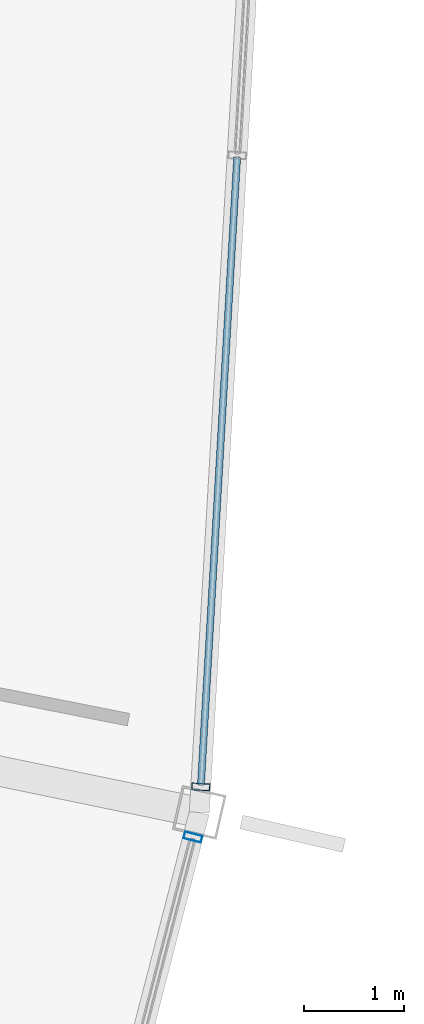
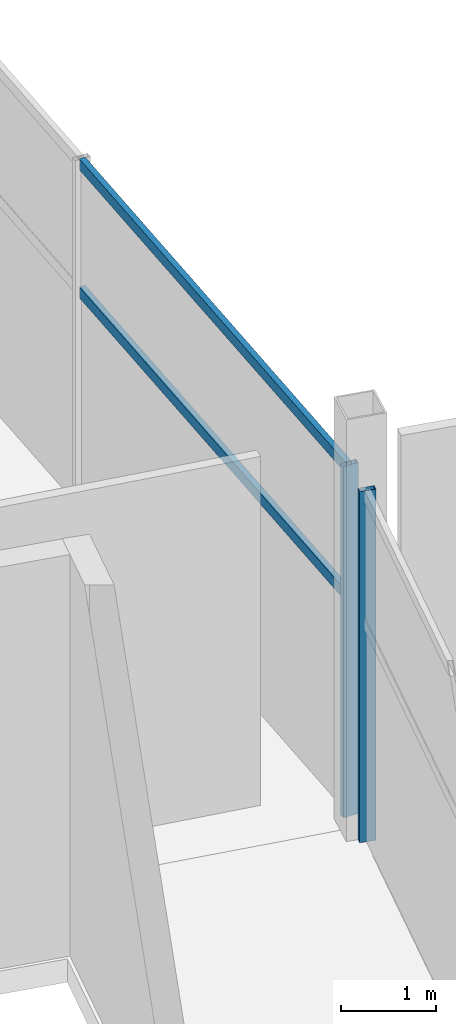
# One storey, part 69 of 186: 4 members, 2 elements without a shape of their own.
"""IFC4 building model written with IfcOpenShell, lengths in metres."""

import ifcopenshell
import ifcopenshell.guid

model = None  # the IFC model being written
_history = None  # IfcOwnerHistory: only IFC2X3 demands one
_inside = {}  # id of a spatial element -> (the spatial element, [elements in it])
_under = {}  # id of a project, library or spatial element -> (it, [spatial elements below it])
_declared = {}  # id of a project -> (the project, [libraries it declares])
_typed = {}  # id of a type object -> (the type object, [elements of that type])
_made_of = {}  # id of a material, layer set ... -> (it, [elements and type objects made of it])


def new_model(schema):
    """Start an empty IFC model of exactly this schema.

    Asked for "IFC4X3", IfcOpenShell would pick the latest addendum, in which some entities
    have other attributes; the version numbers below select the first issue.
    IFC2X3 requires an IfcOwnerHistory on every rooted entity: one is made here for all.
    """
    global model, _history
    if schema == "IFC4X3":
        model = ifcopenshell.file(schema_version=(4, 3, 0, 0))
    else:
        model = ifcopenshell.file(schema=schema)
    _inside.clear()
    _under.clear()
    _declared.clear()
    _typed.clear()
    _made_of.clear()
    _history = None
    if model.schema == "IFC2X3":
        org = make("IfcOrganization", Name="unknown")
        user = make(
            "IfcPersonAndOrganization",
            ThePerson=make("IfcPerson", FamilyName="unknown"),
            TheOrganization=org,
        )
        app = make(
            "IfcApplication",
            ApplicationDeveloper=org,
            Version="unknown",
            ApplicationFullName="unknown",
            ApplicationIdentifier="unknown",
        )
        _history = make(
            "IfcOwnerHistory",
            OwningUser=user,
            OwningApplication=app,
            ChangeAction="ADDED",
            CreationDate=0,
        )
    return model


def make(cls, **values):
    """One entity of the class cls with the attributes given. An attribute that is None is left unset."""
    return model.create_entity(
        cls, **{name: value for name, value in values.items() if value is not None}
    )


def rooted(cls, **values):
    """An entity with a GlobalId (a new one), such as an element, a storey or a relation."""
    return make(cls, GlobalId=ifcopenshell.guid.new(), OwnerHistory=_history, **values)


def si_unit(unit_type, name, prefix=None):
    """IfcSIUnit, for example si_unit("LENGTHUNIT", "METRE", prefix="MILLI")."""
    return make("IfcSIUnit", UnitType=unit_type, Prefix=prefix, Name=name)


def assignment(units):
    """IfcUnitAssignment: the units of a project."""
    return None if units is None else make("IfcUnitAssignment", Units=units)


def point(xyz):
    """IfcCartesianPoint."""
    return None if xyz is None else make("IfcCartesianPoint", Coordinates=xyz)


def direction(xyz):
    """IfcDirection."""
    return None if xyz is None else make("IfcDirection", DirectionRatios=xyz)


def frame(location, z_axis=None, x_axis=None):
    """IfcAxis2Placement3D, a coordinate frame: its origin and axes. An axis left out is left unset."""
    return make(
        "IfcAxis2Placement3D",
        Location=point(location),
        Axis=direction(z_axis),
        RefDirection=direction(x_axis),
    )


def frame_2d(location, x_axis=None):
    """IfcAxis2Placement2D, a coordinate frame in the plane: its origin and x axis."""
    return make(
        "IfcAxis2Placement2D", Location=point(location), RefDirection=direction(x_axis)
    )


def origin():
    """The frame at (0, 0, 0) with its axes left unset."""
    return frame((0.0, 0.0, 0.0))


def origin_2d():
    """The frame at (0, 0) in the plane with its x axis left unset."""
    return frame_2d((0.0, 0.0))


def place(relative_to, where):
    """IfcLocalPlacement: puts the frame where relative to a parent placement (None: the world)."""
    return make(
        "IfcLocalPlacement", PlacementRelTo=relative_to, RelativePlacement=where
    )


def context(
    kind, dimensions, precision=None, world=None, true_north=None, identifier=None
):
    """IfcGeometricRepresentationContext, for example the 3D "Model" context."""
    return make(
        "IfcGeometricRepresentationContext",
        ContextIdentifier=identifier,
        ContextType=kind,
        CoordinateSpaceDimension=dimensions,
        Precision=precision,
        WorldCoordinateSystem=world,
        TrueNorth=true_north,
    )


def subcontext(parent, identifier, kind, view, scale=None):
    """IfcGeometricRepresentationSubContext, for example "Body" below "Model"."""
    return make(
        "IfcGeometricRepresentationSubContext",
        ContextIdentifier=identifier,
        ContextType=kind,
        ParentContext=parent,
        TargetScale=scale,
        TargetView=view,
    )


def project(units=None, contexts=None):
    """IfcProject with its units and contexts."""
    return rooted(
        "IfcProject",
        Name="project",
        RepresentationContexts=contexts,
        UnitsInContext=assignment(units),
    )


def spatial(cls, under=None, at=None, **own):
    """A site, building, storey or space (cls), placed at a placement, below another one or the project."""
    s = rooted(cls, ObjectPlacement=at, **own)
    if under is not None:
        _under.setdefault(under.id(), (under, []))[1].append(s)
    return s


def profile(cls, at=None, kind="AREA", **sizes):
    """A parametric profile (cls). Its sizes go by their IFC names, for example OverallWidth=200.0."""
    return make(cls, ProfileType=kind, Position=at, **sizes)


def hollow_rectangle(**sizes):
    """IfcRectangleHollowProfileDef."""
    return profile("IfcRectangleHollowProfileDef", **sizes)


def extrude(swept, where, along, depth):
    """IfcExtrudedAreaSolid: the profile swept, set in the frame where, extruded along a direction by depth."""
    return make(
        "IfcExtrudedAreaSolid",
        SweptArea=swept,
        Position=where,
        ExtrudedDirection=direction(along),
        Depth=depth,
    )


def shape(context_of_items, identifier, shape_type, items):
    """IfcShapeRepresentation: the items that make up one representation, for example the "Body"."""
    return make(
        "IfcShapeRepresentation",
        ContextOfItems=context_of_items,
        RepresentationIdentifier=identifier,
        RepresentationType=shape_type,
        Items=items,
    )


def material(Name=None, Category=None):
    """IfcMaterial."""
    return make("IfcMaterial", Name=Name, Category=Category)


def layer(
    of_material, thickness, ventilated=None, Name=None, Category=None, Priority=None
):
    """IfcMaterialLayer: one layer of a wall or slab, of a material (None: an air gap)."""
    return make(
        "IfcMaterialLayer",
        Material=of_material,
        LayerThickness=thickness,
        IsVentilated=ventilated,
        Name=Name,
        Category=Category,
        Priority=Priority,
    )


def layer_set(layers, Name=None):
    """IfcMaterialLayerSet."""
    return make("IfcMaterialLayerSet", MaterialLayers=layers, LayerSetName=Name)


def material_profile(
    of_material, cross_section, Name=None, Category=None, Priority=None
):
    """IfcMaterialProfile: a cross section and its material."""
    return make(
        "IfcMaterialProfile",
        Name=Name,
        Material=of_material,
        Profile=cross_section,
        Priority=Priority,
        Category=Category,
    )


def profile_set(profiles, Name=None, composite=None):
    """IfcMaterialProfileSet."""
    return make(
        "IfcMaterialProfileSet",
        Name=Name,
        MaterialProfiles=profiles,
        CompositeProfile=composite,
    )


def made_of(thing, what):
    """Note that an element or type object is made of a material, layer set ...; save() writes the relation."""
    if what is not None:
        _made_of.setdefault(what.id(), (what, []))[1].append(thing)
    return thing


def type_object(cls, material=None, **own):
    """A type object (cls), such as IfcWallType, which elements share."""
    return made_of(rooted(cls, **own), material)


def element(
    cls,
    number,
    at=None,
    inside=None,
    cuts=None,
    type_object=None,
    material=None,
    context=None,
    identifier="Body",
    shape_type=None,
    held_by="IfcProductDefinitionShape",
    body=None,
    shapes=None,
    **own,
):
    """One element of the class cls, such as IfcWall. Its Tag is "e" and its number.

    at: its placement. inside: the storey or other place that contains it. cuts: it is an
    opening in that element (IfcRelVoidsElement). A single representation is given by context,
    identifier, shape_type and body (its items); several are given by shapes. held_by: the class
    of the entity that holds the representations. save() writes the other relations.
    """
    e = rooted(cls, Tag="e%d" % number, ObjectPlacement=at, **own)
    if body is not None:
        shapes = [shape(context, identifier, shape_type, body)]
    if shapes is not None:
        e.Representation = make(held_by, Representations=shapes)
    if inside is not None:
        _inside.setdefault(inside.id(), (inside, []))[1].append(e)
    if cuts is not None:
        rooted(
            "IfcRelVoidsElement", RelatingBuildingElement=cuts, RelatedOpeningElement=e
        )
    if type_object is not None:
        _typed.setdefault(type_object.id(), (type_object, []))[1].append(e)
    return made_of(e, material)


def aggregate(whole, parts):
    """IfcRelAggregates: a whole, such as a stair, and the parts it consists of."""
    return rooted("IfcRelAggregates", RelatingObject=whole, RelatedObjects=parts)


def save(model, path):
    """Write the relations noted so far, then the file.

    IfcRelAggregates (storeys below a building ...), IfcRelContainedInSpatialStructure (elements
    in a storey), IfcRelDefinesByType, IfcRelAssociatesMaterial and IfcRelDeclares: one each for
    every whole, place, type object, material and project.
    """
    for whole, parts in _under.values():
        aggregate(whole, parts)
    for where, things in _inside.values():
        rooted(
            "IfcRelContainedInSpatialStructure",
            RelatedElements=things,
            RelatingStructure=where,
        )
    for kind, things in _typed.values():
        rooted("IfcRelDefinesByType", RelatedObjects=things, RelatingType=kind)
    for what, things in _made_of.values():
        rooted("IfcRelAssociatesMaterial", RelatedObjects=things, RelatingMaterial=what)
    for by, libraries in _declared.values():
        rooted("IfcRelDeclares", RelatingContext=by, RelatedDefinitions=libraries)
    model.write(path)


model = new_model("IFC4")

# Units and contexts
model_context = context("Model", 3, precision=1e-05, world=origin(), true_north=direction((0.0, 1.0)))
body_context = subcontext(model_context, "Body", "Model", "MODEL_VIEW")
ifc_project = project(units=[si_unit("LENGTHUNIT", "METRE"), si_unit("AREAUNIT", "SQUARE_METRE"), si_unit("VOLUMEUNIT", "CUBIC_METRE"), si_unit("PLANEANGLEUNIT", "RADIAN"), si_unit("MASSUNIT", "GRAM", prefix="KILO")], contexts=[model_context])

# Site, building, storey
site_placement = place(None, origin())
site = spatial("IfcSite", under=ifc_project, at=site_placement, CompositionType="ELEMENT")
building_placement = place(site_placement, origin())
building = spatial("IfcBuilding", under=site, at=building_placement, Name="Kazemori Nagisa Stadium", CompositionType="ELEMENT")
storey_placement = place(building_placement, frame((0.0, 0.0, 20.39990234375)))
storey = spatial("IfcBuildingStorey", under=building, at=storey_placement, Name="L04", CompositionType="ELEMENT", Elevation=20.39990234375)

# Curtain wall, member
ifc_material_1 = material(Name="Anodised aluminium 6063-T5", Category="aluminium")
ifc_layer_1 = layer(ifc_material_1, 0.179931640625, Name="Anodised aluminium 6063-T5", Category="aluminium")
ifc_layer_set_1 = layer_set([ifc_layer_1], Name="Anodised aluminium 6063-T5")
curtain_wall_type_1 = type_object("IfcCurtainWallType", Name="CW_L04R3_98", PredefinedType="USERDEFINED", material=ifc_layer_set_1)
curtain_wall_1_placement = place(storey_placement, origin())
curtain_wall_1 = element("IfcCurtainWall", 1, at=curtain_wall_1_placement, inside=storey, type_object=curtain_wall_type_1, Name="Unitised curtain wall CW-L04R3-98 L04", ObjectType="UNITISED CURTAIN WALL", PredefinedType="USERDEFINED")
ifc_material_2 = material(Name="Aluminium 6063-T5 anodised", Category="aluminium")
ifc_material_profile_1 = material_profile(ifc_material_2, hollow_rectangle(XDim=0.070068359375, YDim=0.179931640625, WallThickness=0.00390625, at=origin_2d()), Name="ALU-MULL-70x180x4")
ifc_profile_set_1 = profile_set([ifc_material_profile_1], Name="Aluminium 6063-T5 anodised")
member_type_1 = type_object("IfcMemberType", Name="Mullion_M01", PredefinedType="MULLION", material=ifc_profile_set_1)
member_1_placement = place(storey_placement, frame((216.817138671875, 82.35546875, 0.0), z_axis=(0.0, 0.0, 1.0), x_axis=(0.249964642418, 0.968254965152, 0.0)))
member_1 = element("IfcMember", 2, at=member_1_placement, type_object=member_type_1, Name="Curtain wall mullion CW-L04R3-98-M4", PredefinedType="MULLION", context=body_context, shape_type="SweptSolid", body=[
    extrude(hollow_rectangle(XDim=0.070068359375, YDim=0.179931640625, WallThickness=0.00390625, at=origin_2d()), origin(), (0.0, 0.0, 1.0), 4.530029296875),
])
aggregate(curtain_wall_1, [member_1])

# Curtain wall, members
ifc_layer_2 = layer(ifc_material_1, 0.179931640625, Name="Anodised aluminium 6063-T5", Category="aluminium")
ifc_layer_set_2 = layer_set([ifc_layer_2], Name="Anodised aluminium 6063-T5")
curtain_wall_type_2 = type_object("IfcCurtainWallType", Name="CW_L04R3_95", PredefinedType="USERDEFINED", material=ifc_layer_set_2)
curtain_wall_2_placement = place(storey_placement, origin())
curtain_wall_2 = element("IfcCurtainWall", 3, at=curtain_wall_2_placement, inside=storey, type_object=curtain_wall_type_2, Name="Unitised curtain wall CW-L04R3-95 L04", ObjectType="UNITISED CURTAIN WALL", PredefinedType="USERDEFINED")
member_2_placement = place(storey_placement, frame((216.8955078125, 82.85693359375, 0.0), z_axis=(0.0, 0.0, 1.0), x_axis=(0.057601670941, 0.998339645364, 0.0)))
member_2 = element("IfcMember", 4, at=member_2_placement, type_object=member_type_1, Name="Curtain wall mullion CW-L04R3-95-M1", PredefinedType="MULLION", context=body_context, shape_type="SweptSolid", body=[
    extrude(hollow_rectangle(XDim=0.070068359375, YDim=0.179931640625, WallThickness=0.00390625, at=origin_2d()), origin(), (0.0, 0.0, 1.0), 4.530029296875),
])
ifc_material_profile_2 = material_profile(ifc_material_2, hollow_rectangle(XDim=0.070068359375, YDim=0.139892578125, WallThickness=0.00390625, at=origin_2d()), Name="ALU-TRAN-70x140x4")
ifc_profile_set_2 = profile_set([ifc_material_profile_2], Name="Aluminium 6063-T5 anodised")
member_type_2 = type_object("IfcMemberType", Name="Transom_T01", PredefinedType="USERDEFINED", material=ifc_profile_set_2)
member_3_placement = place(storey_placement, frame((216.896728515625, 82.876953125, 2.80859375), z_axis=(0.057582347061, 0.998340760115, 0.0), x_axis=(-0.998340760115, 0.057582347061, 0.0)))
member_3 = element("IfcMember", 5, at=member_3_placement, type_object=member_type_2, Name="Curtain wall transom CW-L04R3-95-T1-mid", ObjectType="TRANSOM", PredefinedType="USERDEFINED", context=body_context, shape_type="SweptSolid", body=[
    extrude(hollow_rectangle(XDim=0.070068359375, YDim=0.139892578125, WallThickness=0.00390625, at=origin_2d()), origin(), (0.0, 0.0, 1.0), 6.2666015625),
])
member_4_placement = place(storey_placement, frame((216.896728515625, 82.876953125, 4.460205078125), z_axis=(0.057582347061, 0.998340760115, 0.0), x_axis=(-0.998340760115, 0.057582347061, 0.0)))
member_4 = element("IfcMember", 6, at=member_4_placement, type_object=member_type_2, Name="Curtain wall transom CW-L04R3-95-T1-head", ObjectType="TRANSOM", PredefinedType="USERDEFINED", context=body_context, shape_type="SweptSolid", body=[
    extrude(hollow_rectangle(XDim=0.070068359375, YDim=0.139892578125, WallThickness=0.00390625, at=origin_2d()), origin(), (0.0, 0.0, 1.0), 6.2666015625),
])
aggregate(curtain_wall_2, [member_2, member_3, member_4])

save(model, "model.ifc")
